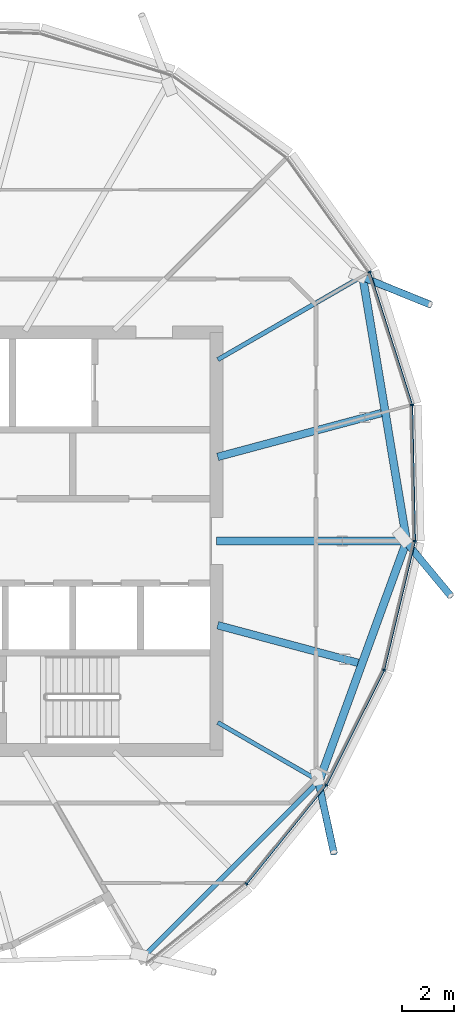
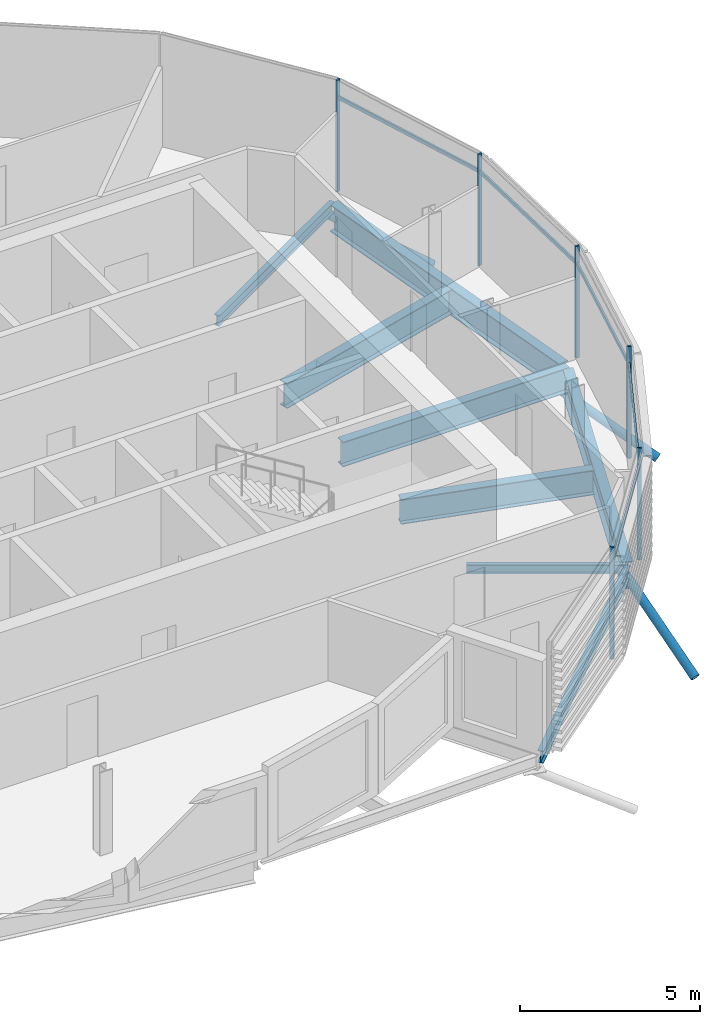
# One storey, part 14 of 35: 14 members, 8 beams, 1 element without a shape of its own.
"""IFC4 building model written with IfcOpenShell, lengths in metres."""

from ifc_helpers import new_model, si_unit, direction, frame, origin, origin_2d, place, context, subcontext, project, spatial, rectangle, hollow_circle, i_section, extrude, clip, halfspace, material, material_profile, profile_set, type_object, element, aggregate, save


model = new_model("IFC4")

# Units and contexts
model_context = context("Model", 3, precision=1e-05, world=origin(), true_north=direction((0.0, 1.0)))
body_context = subcontext(model_context, "Body", "Model", "MODEL_VIEW")
ifc_project = project(units=[si_unit("LENGTHUNIT", "METRE"), si_unit("AREAUNIT", "SQUARE_METRE"), si_unit("VOLUMEUNIT", "CUBIC_METRE"), si_unit("PLANEANGLEUNIT", "RADIAN"), si_unit("MASSUNIT", "GRAM", prefix="KILO")], contexts=[model_context])

# Site, building, storey
site_placement = place(None, origin())
site = spatial("IfcSite", under=ifc_project, at=site_placement, CompositionType="ELEMENT")
building_placement = place(site_placement, origin())
building = spatial("IfcBuilding", under=site, at=building_placement, Name="Rimbun Link Towers", CompositionType="ELEMENT")
storey_placement = place(building_placement, frame((0.0, 0.0, 229.5)))
storey = spatial("IfcBuildingStorey", under=building, at=storey_placement, Name="L56", CompositionType="ELEMENT", Elevation=229.5)

# Curtain wall, members
ifc_material_1 = material(Name="Aluminium 6063-T6 and low-iron glass", Category="aluminium")
curtain_wall_type = type_object("IfcCurtainWallType", Name="CW1-Z4 unitised vision wall (zone 4)", PredefinedType="NOTDEFINED", material=ifc_material_1)
curtain_wall_placement = place(storey_placement, origin())
curtain_wall = element("IfcCurtainWall", 1, at=curtain_wall_placement, inside=storey, type_object=curtain_wall_type, Name="CW1 L56 T2", PredefinedType="NOTDEFINED")
ifc_material_2 = material(Name="Aluminium 6063-T6", Category="aluminium")
ifc_material_profile_1 = material_profile(ifc_material_2, rectangle(XDim=0.1201171875, YDim=0.06005859375, at=origin_2d()), Name="MULLION 60X120")
ifc_profile_set_1 = profile_set([ifc_material_profile_1], Name="Aluminium 6063-T6")
member_type_1 = type_object("IfcMemberType", Name="CW1 mullion 60X120", PredefinedType="MULLION", material=ifc_profile_set_1)
member_1_placement = place(storey_placement, frame((44.88818359375, -13.13818359375, 0.0), z_axis=(0.0, 0.0, 1.0), x_axis=(0.707106781187, -0.707106781187, 0.0)))
member_1 = element("IfcMember", 2, at=member_1_placement, type_object=member_type_1, Name="CW1 mullion", PredefinedType="MULLION", context=body_context, shape_type="SweptSolid", body=[
    extrude(rectangle(XDim=0.1201171875, YDim=0.06005859375, at=origin_2d()), origin(), (0.0, 0.0, 1.0), 3.800048828125),
])
member_2_placement = place(storey_placement, frame((47.949462890625, -9.356201171875, 0.0), z_axis=(0.0, 0.0, 1.0), x_axis=(0.840315598857, -0.542097495214, 0.0)))
member_2 = element("IfcMember", 3, at=member_2_placement, type_object=member_type_1, Name="CW1 mullion", PredefinedType="MULLION", context=body_context, shape_type="SweptSolid", body=[
    extrude(rectangle(XDim=0.1201171875, YDim=0.06005859375, at=origin_2d()), origin(), (0.0, 0.0, 1.0), 3.800048828125),
])
member_3_placement = place(storey_placement, frame((50.1669921875, -4.940185546875, 0.0), z_axis=(0.0, 0.0, 1.0), x_axis=(0.939348465914, -0.342964224935, 0.0)))
member_3 = element("IfcMember", 4, at=member_3_placement, type_object=member_type_1, Name="CW1 mullion", PredefinedType="MULLION", context=body_context, shape_type="SweptSolid", body=[
    extrude(rectangle(XDim=0.1201171875, YDim=0.06005859375, at=origin_2d()), origin(), (0.0, 0.0, 1.0), 3.800048828125),
])
member_4_placement = place(storey_placement, frame((51.346923828125, -0.00634765625, 0.0), z_axis=(0.0, 0.0, 1.0), x_axis=(0.994297974895, -0.106637409565, 0.0)))
member_4 = element("IfcMember", 5, at=member_4_placement, type_object=member_type_1, Name="CW1 mullion", PredefinedType="MULLION", context=body_context, shape_type="SweptSolid", body=[
    extrude(rectangle(XDim=0.1201171875, YDim=0.06005859375, at=origin_2d()), origin(), (0.0, 0.0, 1.0), 3.800048828125),
])
member_5_placement = place(storey_placement, frame((51.23681640625, 5.21533203125, 0.0), z_axis=(0.0, 0.0, 1.0), x_axis=(0.986503254432, 0.163741653209, 0.0)))
member_5 = element("IfcMember", 6, at=member_5_placement, type_object=member_type_1, Name="CW1 mullion", PredefinedType="MULLION", context=body_context, shape_type="SweptSolid", body=[
    extrude(rectangle(XDim=0.1201171875, YDim=0.06005859375, at=origin_2d()), origin(), (0.0, 0.0, 1.0), 3.800048828125),
])
member_6_placement = place(storey_placement, frame((49.6162109375, 10.31103515625, 0.0), z_axis=(0.0, 0.0, 1.0), x_axis=(0.893749306438, 0.448566803545, 0.0)))
member_6 = element("IfcMember", 7, at=member_6_placement, type_object=member_type_1, Name="CW1 mullion", PredefinedType="MULLION", context=body_context, shape_type="SweptSolid", body=[
    extrude(rectangle(XDim=0.1201171875, YDim=0.06005859375, at=origin_2d()), origin(), (0.0, 0.0, 1.0), 3.800048828125),
])
ifc_material_3 = material(Name="Aluminium 6063-T6", Category="aluminium")
ifc_material_profile_2 = material_profile(ifc_material_3, rectangle(XDim=0.06005859375, YDim=0.1201171875, at=origin_2d()), Name="TRANSOM 60X120")
ifc_profile_set_2 = profile_set([ifc_material_profile_2], Name="Aluminium 6063-T6")
member_type_2 = type_object("IfcMemberType", Name="CW1 transom 60X120", PredefinedType="USERDEFINED", material=ifc_profile_set_2)
member_7_placement = place(storey_placement, frame((47.92529296875, -9.383544921875, 3.199951171875), z_axis=(-0.6291821099, -0.777257918957, 0.0), x_axis=(0.777257918957, -0.6291821099, 0.0)))
member_7 = element("IfcMember", 8, at=member_7_placement, type_object=member_type_2, Name="CW1 transom", ObjectType="TRANSOM", PredefinedType="USERDEFINED", context=body_context, shape_type="SweptSolid", body=[
    extrude(rectangle(XDim=0.06005859375, YDim=0.1201171875, at=origin_2d()), origin(), (0.0, 0.0, 1.0), 4.79296875),
])
member_8_placement = place(storey_placement, frame((50.149169921875, -4.97265625, 3.199951171875), z_axis=(-0.448797652248, -0.893633407688, 0.0), x_axis=(0.893633407688, -0.448797652248, 0.0)))
member_8 = element("IfcMember", 9, at=member_8_placement, type_object=member_type_2, Name="CW1 transom", ObjectType="TRANSOM", PredefinedType="USERDEFINED", context=body_context, shape_type="SweptSolid", body=[
    extrude(rectangle(XDim=0.06005859375, YDim=0.1201171875, at=origin_2d()), origin(), (0.0, 0.0, 1.0), 4.8681640625),
])
member_9_placement = place(storey_placement, frame((51.336669921875, -0.042724609375, 3.199951171875), z_axis=(-0.232593300846, -0.972574087873, 0.0), x_axis=(0.972574087873, -0.232593300846, 0.0)))
member_9 = element("IfcMember", 10, at=member_9_placement, type_object=member_type_2, Name="CW1 transom", ObjectType="TRANSOM", PredefinedType="USERDEFINED", context=body_context, shape_type="SweptSolid", body=[
    extrude(rectangle(XDim=0.06005859375, YDim=0.1201171875, at=origin_2d()), origin(), (0.0, 0.0, 1.0), 4.99853515625),
])
member_10_placement = place(storey_placement, frame((51.236328125, 5.1767578125, 3.199951171875), z_axis=(0.021061942905, -0.999778172677, 0.0), x_axis=(0.999778172677, 0.021061942905, 0.0)))
member_10 = element("IfcMember", 11, at=member_10_placement, type_object=member_type_2, Name="CW1 transom", ObjectType="TRANSOM", PredefinedType="USERDEFINED", context=body_context, shape_type="SweptSolid", body=[
    extrude(rectangle(XDim=0.06005859375, YDim=0.1201171875, at=origin_2d()), origin(), (0.0, 0.0, 1.0), 5.146728515625),
])
member_11_placement = place(storey_placement, frame((49.626953125, 10.273193359375, 3.199951171875), z_axis=(0.303062134943, -0.952970798274, 0.0), x_axis=(0.952970798274, 0.303062134943, 0.0)))
member_11 = element("IfcMember", 12, at=member_11_placement, type_object=member_type_2, Name="CW1 transom", ObjectType="TRANSOM", PredefinedType="USERDEFINED", context=body_context, shape_type="SweptSolid", body=[
    extrude(rectangle(XDim=0.06005859375, YDim=0.1201171875, at=origin_2d()), origin(), (0.0, 0.0, 1.0), 5.269287109375),
])
aggregate(curtain_wall, [member_1, member_2, member_3, member_4, member_5, member_6, member_7, member_8, member_9, member_10, member_11])

# Members
ifc_material_4 = material(Name="Steel S355J2H", Category="steel")
ifc_material_profile_3 = material_profile(ifc_material_4, hollow_circle(Radius=0.136474609375, WallThickness=0.012451171875, at=origin_2d()), Name="CHS 273x12.5")
ifc_profile_set_3 = profile_set([ifc_material_profile_3], Name="Steel S355J2H")
member_type_3 = type_object("IfcMemberType", Name="Floor edge link CHS 273x12.5", PredefinedType="BRACE", material=ifc_profile_set_3)
member_12_placement = place(storey_placement, frame((47.63671875, -9.172119140625, -0.5556640625), z_axis=(0.174814323544, -0.803385519918, -0.569220219835), x_axis=(0.977134611577, 0.21262161428, 0.0)))
element("IfcMember", 13, at=member_12_placement, inside=storey, type_object=member_type_3, Name="Floor edge link T2 L56 19", PredefinedType="BRACE", context=body_context, shape_type="Clipping", body=[
    clip(extrude(hollow_circle(Radius=0.136474609375, WallThickness=0.012451171875, at=origin_2d()), frame((0.0, 0.0, -0.411865234375)), (0.0, 0.0, 1.0), 3.879638671875), halfspace(frame((0.0, 0.0, -0.193603515625), z_axis=(0.0, 0.822185101623, -0.569220219835)), False)),
])
member_13_placement = place(storey_placement, frame((50.980224609375, 0.0, -1.10009765625), z_axis=(0.557278603035, -0.673609437175, -0.485480055974), x_axis=(0.770501774766, 0.637437851937, 0.0)))
element("IfcMember", 14, at=member_13_placement, inside=storey, type_object=member_type_3, Name="Floor edge link T2 L56 21", PredefinedType="BRACE", context=body_context, shape_type="Clipping", body=[
    clip(extrude(hollow_circle(Radius=0.136474609375, WallThickness=0.012451171875, at=origin_2d()), frame((0.0, 0.0, -0.51220703125)), (0.0, 0.0, 1.0), 3.63720703125), halfspace(frame((0.0, 0.0, -0.24169921875), z_axis=(0.0, 0.874247742492, -0.485480055974)), False)),
])
member_14_placement = place(storey_placement, frame((49.297607421875, 10.131103515625, -0.60791015625), z_axis=(0.766362955946, -0.31030082146, -0.562495528831), x_axis=(0.375303215881, 0.926902096313, 0.0)))
element("IfcMember", 15, at=member_14_placement, inside=storey, type_object=member_type_3, Name="Floor edge link T2 L56 23", PredefinedType="BRACE", context=body_context, shape_type="Clipping", body=[
    clip(extrude(hollow_circle(Radius=0.136474609375, WallThickness=0.012451171875, at=origin_2d()), frame((0.0, 0.0, -0.4189453125)), (0.0, 0.0, 1.0), 3.8642578125), halfspace(frame((0.0, 0.0, -0.197265625), z_axis=(0.0, 0.826800326588, -0.562495528831)), False)),
])

# Beams
ifc_material_5 = material(Name="Steel S355J2", Category="steel")
ifc_material_profile_4 = material_profile(ifc_material_5, i_section(OverallWidth=0.1650390625, OverallDepth=0.303466796875, WebThickness=0.006103515625, FlangeThickness=0.01025390625, at=origin_2d()), Name="UB 305x165x40")
ifc_profile_set_4 = profile_set([ifc_material_profile_4], Name="Steel S355J2")
beam_type_1 = type_object("IfcBeamType", Name="UB 305x165x40", PredefinedType="BEAM", material=ifc_profile_set_4)
beam_1_placement = place(storey_placement, frame((43.7919921875, -6.952392578125, -0.291748046875), z_axis=(0.866032539631, -0.499987640148, 0.0), x_axis=(0.499987640148, 0.866032539631, 0.0)))
element("IfcBeam", 16, at=beam_1_placement, inside=storey, type_object=beam_type_1, Name="Radial beam T2 L56 19", PredefinedType="BEAM", context=body_context, shape_type="SweptSolid", body=[
    extrude(i_section(OverallWidth=0.1650390625, OverallDepth=0.303466796875, WebThickness=0.006103515625, FlangeThickness=0.01025390625, at=origin_2d()), origin(), (0.0, 0.0, 1.0), 4.4892578125),
])
ifc_material_6 = material(Name="Steel S355J2", Category="steel")
ifc_material_profile_5 = material_profile(ifc_material_6, i_section(OverallWidth=0.17138671875, OverallDepth=0.35498046875, WebThickness=0.00732421875, FlangeThickness=0.011474609375, at=origin_2d()), Name="UB 356x171x51")
ifc_profile_set_5 = profile_set([ifc_material_profile_5], Name="Steel S355J2")
beam_type_2 = type_object("IfcBeamType", Name="UB 356x171x51", PredefinedType="BEAM", material=ifc_profile_set_5)
beam_2_placement = place(storey_placement, frame((43.793701171875, 6.95361328125, -0.3173828125), z_axis=(0.866051030823, 0.499955610039, 0.0), x_axis=(-0.499955610039, 0.866051030823, 0.0)))
element("IfcBeam", 17, at=beam_2_placement, inside=storey, type_object=beam_type_2, Name="Radial beam T2 L56 23", PredefinedType="BEAM", context=body_context, shape_type="SweptSolid", body=[
    extrude(i_section(OverallWidth=0.17138671875, OverallDepth=0.35498046875, WebThickness=0.00732421875, FlangeThickness=0.011474609375, at=origin_2d()), origin(), (0.0, 0.0, 1.0), 6.4052734375),
])
ifc_material_7 = material(Name="Steel S355J2", Category="steel")
ifc_material_profile_6 = material_profile(ifc_material_7, i_section(OverallWidth=0.177978515625, OverallDepth=0.406494140625, WebThickness=0.0078125, FlangeThickness=0.0126953125, at=origin_2d()), Name="UB 406x178x60")
ifc_profile_set_6 = profile_set([ifc_material_profile_6], Name="Steel S355J2")
beam_type_3 = type_object("IfcBeamType", Name="UB 406x178x60", PredefinedType="BEAM", material=ifc_profile_set_6)
beam_3_placement = place(storey_placement, frame((41.0244140625, -15.8525390625, -0.34326171875), z_axis=(0.707119870545, 0.707093691586, 0.0), x_axis=(-0.707093691586, 0.707119870545, 0.0)))
element("IfcBeam", 18, at=beam_3_placement, inside=storey, type_object=beam_type_3, Name="Edge beam T2 L56 17-19", PredefinedType="BEAM", context=body_context, shape_type="SweptSolid", body=[
    extrude(i_section(OverallWidth=0.177978515625, OverallDepth=0.406494140625, WebThickness=0.0078125, FlangeThickness=0.0126953125, at=origin_2d()), origin(), (0.0, 0.0, 1.0), 9.325927734375),
])
ifc_material_8 = material(Name="Steel S355J2", Category="steel")
ifc_material_profile_7 = material_profile(ifc_material_8, i_section(OverallWidth=0.29248046875, OverallDepth=0.8408203125, WebThickness=0.0126953125, FlangeThickness=0.021728515625, at=origin_2d()), Name="UB 838x292x194")
ifc_profile_set_7 = profile_set([ifc_material_profile_7], Name="Steel S355J2")
beam_type_4 = type_object("IfcBeamType", Name="UB 838x292x194", PredefinedType="BEAM", material=ifc_profile_set_7)
beam_4_placement = place(storey_placement, frame((43.788818359375, -3.225830078125, -0.560302734375), z_axis=(0.965927107431, -0.25881426377, 0.0), x_axis=(0.25881426377, 0.965927107431, 0.0)))
element("IfcBeam", 19, at=beam_4_placement, inside=storey, type_object=beam_type_4, Name="Radial beam T2 L56 20", PredefinedType="BEAM", context=body_context, shape_type="SweptSolid", body=[
    extrude(i_section(OverallWidth=0.29248046875, OverallDepth=0.8408203125, WebThickness=0.0126953125, FlangeThickness=0.021728515625, at=origin_2d()), origin(), (0.0, 0.0, 1.0), 5.5673828125),
])
beam_5_placement = place(storey_placement, frame((43.7509765625, 0.0, -0.560302734375), z_axis=(1.0, 0.0, 0.0), x_axis=(0.0, 1.0, 0.0)))
element("IfcBeam", 20, at=beam_5_placement, inside=storey, type_object=beam_type_4, Name="Radial beam T2 L56 21", PredefinedType="BEAM", context=body_context, shape_type="SweptSolid", body=[
    extrude(i_section(OverallWidth=0.29248046875, OverallDepth=0.8408203125, WebThickness=0.0126953125, FlangeThickness=0.021728515625, at=origin_2d()), origin(), (0.0, 0.0, 1.0), 7.279296875),
])
beam_6_placement = place(storey_placement, frame((43.788818359375, 3.225830078125, -0.560302734375), z_axis=(0.965925217521, 0.258821317047, 0.0), x_axis=(-0.258821317047, 0.965925217521, 0.0)))
element("IfcBeam", 21, at=beam_6_placement, inside=storey, type_object=beam_type_4, Name="Radial beam T2 L56 22", PredefinedType="BEAM", context=body_context, shape_type="SweptSolid", body=[
    extrude(i_section(OverallWidth=0.29248046875, OverallDepth=0.8408203125, WebThickness=0.0126953125, FlangeThickness=0.021728515625, at=origin_2d()), origin(), (0.0, 0.0, 1.0), 6.49072265625),
])
ifc_material_9 = material(Name="Steel S355J2", Category="steel")
ifc_material_profile_8 = material_profile(ifc_material_9, i_section(OverallWidth=0.305419921875, OverallDepth=0.91845703125, WebThickness=0.017333984375, FlangeThickness=0.02783203125, at=origin_2d()), Name="UB 914x305x253")
ifc_profile_set_8 = profile_set([ifc_material_profile_8], Name="Steel S355J2")
beam_type_5 = type_object("IfcBeamType", Name="UB 914x305x253", PredefinedType="BEAM", material=ifc_profile_set_8)
beam_7_placement = place(storey_placement, frame((47.708984375, -9.117431640625, -0.59912109375), z_axis=(0.342268655535, 0.939602132521, 0.0), x_axis=(-0.939602132521, 0.342268655535, 0.0)))
element("IfcBeam", 22, at=beam_7_placement, inside=storey, type_object=beam_type_5, Name="Edge beam T2 L56 19-21", PredefinedType="BEAM", context=body_context, shape_type="SweptSolid", body=[
    extrude(i_section(OverallWidth=0.305419921875, OverallDepth=0.91845703125, WebThickness=0.017333984375, FlangeThickness=0.02783203125, at=origin_2d()), origin(), (0.0, 0.0, 1.0), 9.546875),
])
beam_8_placement = place(storey_placement, frame((51.005859375, 0.147216796875, -0.59912109375), z_axis=(-0.16408394908, 0.986446378499, 0.0), x_axis=(-0.986446378499, -0.16408394908, 0.0)))
element("IfcBeam", 23, at=beam_8_placement, inside=storey, type_object=beam_type_5, Name="Edge beam T2 L56 21-23", PredefinedType="BEAM", context=body_context, shape_type="SweptSolid", body=[
    extrude(i_section(OverallWidth=0.305419921875, OverallDepth=0.91845703125, WebThickness=0.017333984375, FlangeThickness=0.02783203125, at=origin_2d()), origin(), (0.0, 0.0, 1.0), 10.0537109375),
])

save(model, "model.ifc")
